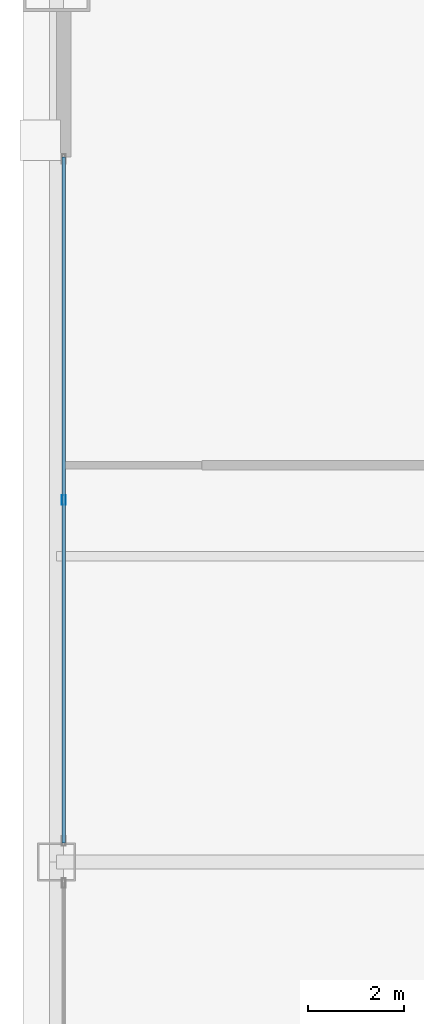
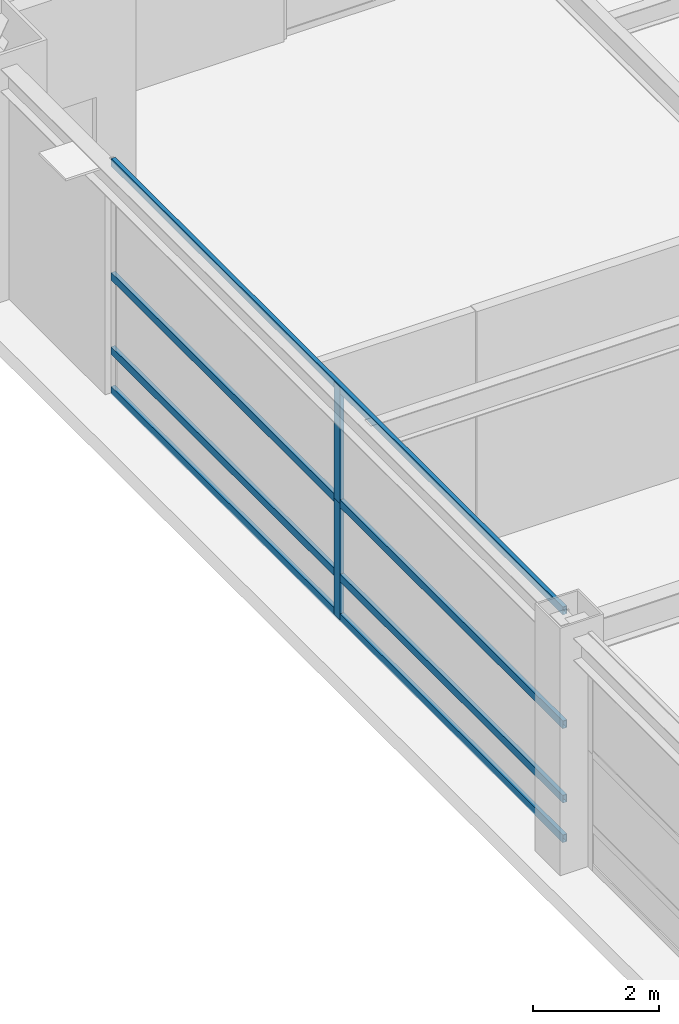
# One storey, part 14 of 34: 6 members, 1 element without a shape of its own.
"""IFC4 building model written with IfcOpenShell, lengths in metres."""

import ifcopenshell
import ifcopenshell.guid

model = None  # the IFC model being written
_history = None  # IfcOwnerHistory: only IFC2X3 demands one
_inside = {}  # id of a spatial element -> (the spatial element, [elements in it])
_under = {}  # id of a project, library or spatial element -> (it, [spatial elements below it])
_declared = {}  # id of a project -> (the project, [libraries it declares])
_typed = {}  # id of a type object -> (the type object, [elements of that type])
_made_of = {}  # id of a material, layer set ... -> (it, [elements and type objects made of it])


def new_model(schema):
    """Start an empty IFC model of exactly this schema.

    Asked for "IFC4X3", IfcOpenShell would pick the latest addendum, in which some entities
    have other attributes; the version numbers below select the first issue.
    IFC2X3 requires an IfcOwnerHistory on every rooted entity: one is made here for all.
    """
    global model, _history
    if schema == "IFC4X3":
        model = ifcopenshell.file(schema_version=(4, 3, 0, 0))
    else:
        model = ifcopenshell.file(schema=schema)
    _inside.clear()
    _under.clear()
    _declared.clear()
    _typed.clear()
    _made_of.clear()
    _history = None
    if model.schema == "IFC2X3":
        org = make("IfcOrganization", Name="unknown")
        user = make(
            "IfcPersonAndOrganization",
            ThePerson=make("IfcPerson", FamilyName="unknown"),
            TheOrganization=org,
        )
        app = make(
            "IfcApplication",
            ApplicationDeveloper=org,
            Version="unknown",
            ApplicationFullName="unknown",
            ApplicationIdentifier="unknown",
        )
        _history = make(
            "IfcOwnerHistory",
            OwningUser=user,
            OwningApplication=app,
            ChangeAction="ADDED",
            CreationDate=0,
        )
    return model


def make(cls, **values):
    """One entity of the class cls with the attributes given. An attribute that is None is left unset."""
    return model.create_entity(
        cls, **{name: value for name, value in values.items() if value is not None}
    )


def rooted(cls, **values):
    """An entity with a GlobalId (a new one), such as an element, a storey or a relation."""
    return make(cls, GlobalId=ifcopenshell.guid.new(), OwnerHistory=_history, **values)


def si_unit(unit_type, name, prefix=None):
    """IfcSIUnit, for example si_unit("LENGTHUNIT", "METRE", prefix="MILLI")."""
    return make("IfcSIUnit", UnitType=unit_type, Prefix=prefix, Name=name)


def assignment(units):
    """IfcUnitAssignment: the units of a project."""
    return None if units is None else make("IfcUnitAssignment", Units=units)


def point(xyz):
    """IfcCartesianPoint."""
    return None if xyz is None else make("IfcCartesianPoint", Coordinates=xyz)


def direction(xyz):
    """IfcDirection."""
    return None if xyz is None else make("IfcDirection", DirectionRatios=xyz)


def frame(location, z_axis=None, x_axis=None):
    """IfcAxis2Placement3D, a coordinate frame: its origin and axes. An axis left out is left unset."""
    return make(
        "IfcAxis2Placement3D",
        Location=point(location),
        Axis=direction(z_axis),
        RefDirection=direction(x_axis),
    )


def frame_2d(location, x_axis=None):
    """IfcAxis2Placement2D, a coordinate frame in the plane: its origin and x axis."""
    return make(
        "IfcAxis2Placement2D", Location=point(location), RefDirection=direction(x_axis)
    )


def origin():
    """The frame at (0, 0, 0) with its axes left unset."""
    return frame((0.0, 0.0, 0.0))


def origin_2d():
    """The frame at (0, 0) in the plane with its x axis left unset."""
    return frame_2d((0.0, 0.0))


def place(relative_to, where):
    """IfcLocalPlacement: puts the frame where relative to a parent placement (None: the world)."""
    return make(
        "IfcLocalPlacement", PlacementRelTo=relative_to, RelativePlacement=where
    )


def context(
    kind, dimensions, precision=None, world=None, true_north=None, identifier=None
):
    """IfcGeometricRepresentationContext, for example the 3D "Model" context."""
    return make(
        "IfcGeometricRepresentationContext",
        ContextIdentifier=identifier,
        ContextType=kind,
        CoordinateSpaceDimension=dimensions,
        Precision=precision,
        WorldCoordinateSystem=world,
        TrueNorth=true_north,
    )


def subcontext(parent, identifier, kind, view, scale=None):
    """IfcGeometricRepresentationSubContext, for example "Body" below "Model"."""
    return make(
        "IfcGeometricRepresentationSubContext",
        ContextIdentifier=identifier,
        ContextType=kind,
        ParentContext=parent,
        TargetScale=scale,
        TargetView=view,
    )


def project(units=None, contexts=None):
    """IfcProject with its units and contexts."""
    return rooted(
        "IfcProject",
        Name="project",
        RepresentationContexts=contexts,
        UnitsInContext=assignment(units),
    )


def spatial(cls, under=None, at=None, **own):
    """A site, building, storey or space (cls), placed at a placement, below another one or the project."""
    s = rooted(cls, ObjectPlacement=at, **own)
    if under is not None:
        _under.setdefault(under.id(), (under, []))[1].append(s)
    return s


def profile(cls, at=None, kind="AREA", **sizes):
    """A parametric profile (cls). Its sizes go by their IFC names, for example OverallWidth=200.0."""
    return make(cls, ProfileType=kind, Position=at, **sizes)


def hollow_rectangle(**sizes):
    """IfcRectangleHollowProfileDef."""
    return profile("IfcRectangleHollowProfileDef", **sizes)


def extrude(swept, where, along, depth):
    """IfcExtrudedAreaSolid: the profile swept, set in the frame where, extruded along a direction by depth."""
    return make(
        "IfcExtrudedAreaSolid",
        SweptArea=swept,
        Position=where,
        ExtrudedDirection=direction(along),
        Depth=depth,
    )


def shape(context_of_items, identifier, shape_type, items):
    """IfcShapeRepresentation: the items that make up one representation, for example the "Body"."""
    return make(
        "IfcShapeRepresentation",
        ContextOfItems=context_of_items,
        RepresentationIdentifier=identifier,
        RepresentationType=shape_type,
        Items=items,
    )


def source(mapping_origin, context_of_items, identifier, shape_type, items):
    """IfcRepresentationMap: a shape defined once, which mapped items show again and again."""
    return make(
        "IfcRepresentationMap",
        MappingOrigin=mapping_origin,
        MappedRepresentation=shape(context_of_items, identifier, shape_type, items),
    )


def transform(
    local_origin,
    x_axis=None,
    y_axis=None,
    z_axis=None,
    scale=None,
    scale2=None,
    scale3=None,
    uniform=True,
):
    """IfcCartesianTransformationOperator3D, or its non-uniform kind. x_axis, y_axis, z_axis: its Axis1, 2, 3."""
    if uniform:
        return make(
            "IfcCartesianTransformationOperator3D",
            Axis1=direction(x_axis),
            Axis2=direction(y_axis),
            LocalOrigin=point(local_origin),
            Scale=scale,
            Axis3=direction(z_axis),
        )
    return make(
        "IfcCartesianTransformationOperator3DnonUniform",
        Axis1=direction(x_axis),
        Axis2=direction(y_axis),
        LocalOrigin=point(local_origin),
        Scale=scale,
        Axis3=direction(z_axis),
        Scale2=scale2,
        Scale3=scale3,
    )


def mapped(mapping_source, mapping_target):
    """IfcMappedItem: shows the shape of a source again, moved by a transform."""
    return make(
        "IfcMappedItem", MappingSource=mapping_source, MappingTarget=mapping_target
    )


def material(Name=None, Category=None):
    """IfcMaterial."""
    return make("IfcMaterial", Name=Name, Category=Category)


def layer(
    of_material, thickness, ventilated=None, Name=None, Category=None, Priority=None
):
    """IfcMaterialLayer: one layer of a wall or slab, of a material (None: an air gap)."""
    return make(
        "IfcMaterialLayer",
        Material=of_material,
        LayerThickness=thickness,
        IsVentilated=ventilated,
        Name=Name,
        Category=Category,
        Priority=Priority,
    )


def layer_set(layers, Name=None):
    """IfcMaterialLayerSet."""
    return make("IfcMaterialLayerSet", MaterialLayers=layers, LayerSetName=Name)


def material_profile(
    of_material, cross_section, Name=None, Category=None, Priority=None
):
    """IfcMaterialProfile: a cross section and its material."""
    return make(
        "IfcMaterialProfile",
        Name=Name,
        Material=of_material,
        Profile=cross_section,
        Priority=Priority,
        Category=Category,
    )


def profile_set(profiles, Name=None, composite=None):
    """IfcMaterialProfileSet."""
    return make(
        "IfcMaterialProfileSet",
        Name=Name,
        MaterialProfiles=profiles,
        CompositeProfile=composite,
    )


def made_of(thing, what):
    """Note that an element or type object is made of a material, layer set ...; save() writes the relation."""
    if what is not None:
        _made_of.setdefault(what.id(), (what, []))[1].append(thing)
    return thing


def type_object(cls, material=None, **own):
    """A type object (cls), such as IfcWallType, which elements share."""
    return made_of(rooted(cls, **own), material)


def element(
    cls,
    number,
    at=None,
    inside=None,
    cuts=None,
    type_object=None,
    material=None,
    context=None,
    identifier="Body",
    shape_type=None,
    held_by="IfcProductDefinitionShape",
    body=None,
    shapes=None,
    **own,
):
    """One element of the class cls, such as IfcWall. Its Tag is "e" and its number.

    at: its placement. inside: the storey or other place that contains it. cuts: it is an
    opening in that element (IfcRelVoidsElement). A single representation is given by context,
    identifier, shape_type and body (its items); several are given by shapes. held_by: the class
    of the entity that holds the representations. save() writes the other relations.
    """
    e = rooted(cls, Tag="e%d" % number, ObjectPlacement=at, **own)
    if body is not None:
        shapes = [shape(context, identifier, shape_type, body)]
    if shapes is not None:
        e.Representation = make(held_by, Representations=shapes)
    if inside is not None:
        _inside.setdefault(inside.id(), (inside, []))[1].append(e)
    if cuts is not None:
        rooted(
            "IfcRelVoidsElement", RelatingBuildingElement=cuts, RelatedOpeningElement=e
        )
    if type_object is not None:
        _typed.setdefault(type_object.id(), (type_object, []))[1].append(e)
    return made_of(e, material)


def aggregate(whole, parts):
    """IfcRelAggregates: a whole, such as a stair, and the parts it consists of."""
    return rooted("IfcRelAggregates", RelatingObject=whole, RelatedObjects=parts)


def save(model, path):
    """Write the relations noted so far, then the file.

    IfcRelAggregates (storeys below a building ...), IfcRelContainedInSpatialStructure (elements
    in a storey), IfcRelDefinesByType, IfcRelAssociatesMaterial and IfcRelDeclares: one each for
    every whole, place, type object, material and project.
    """
    for whole, parts in _under.values():
        aggregate(whole, parts)
    for where, things in _inside.values():
        rooted(
            "IfcRelContainedInSpatialStructure",
            RelatedElements=things,
            RelatingStructure=where,
        )
    for kind, things in _typed.values():
        rooted("IfcRelDefinesByType", RelatedObjects=things, RelatingType=kind)
    for what, things in _made_of.values():
        rooted("IfcRelAssociatesMaterial", RelatedObjects=things, RelatingMaterial=what)
    for by, libraries in _declared.values():
        rooted("IfcRelDeclares", RelatingContext=by, RelatedDefinitions=libraries)
    model.write(path)


model = new_model("IFC4")

# Units and contexts
model_context = context("Model", 3, precision=1e-05, world=origin(), true_north=direction((0.0, 1.0)))
body_context = subcontext(model_context, "Body", "Model", "MODEL_VIEW")
ifc_project = project(units=[si_unit("LENGTHUNIT", "METRE"), si_unit("AREAUNIT", "SQUARE_METRE"), si_unit("VOLUMEUNIT", "CUBIC_METRE"), si_unit("PLANEANGLEUNIT", "RADIAN"), si_unit("MASSUNIT", "GRAM", prefix="KILO"), si_unit("THERMODYNAMICTEMPERATUREUNIT", "KELVIN"), si_unit("POWERUNIT", "WATT")], contexts=[model_context])

# Site, building, storey
site_placement = place(None, origin())
site = spatial("IfcSite", under=ifc_project, at=site_placement, CompositionType="ELEMENT")
building_placement = place(site_placement, origin())
building = spatial("IfcBuilding", under=site, at=building_placement, Name="Yuzanri Waterfront Tower", CompositionType="ELEMENT")
storey_placement = place(building_placement, frame((0.0, 0.0, 171.60009765625)))
storey = spatial("IfcBuildingStorey", under=building, at=storey_placement, Name="L45", CompositionType="ELEMENT", Elevation=171.60009765625)

# Curtain wall, members
ifc_material_1 = material(Name="Anodized Architectural Bronze", Category="metal")
ifc_layer = layer(ifc_material_1, 0.159912109375)
ifc_layer_set = layer_set([ifc_layer], Name="Anodized Architectural Bronze")
curtain_wall_type = type_object("IfcCurtainWallType", Name="Anodized Bronze Sky-Lobby Triple-Glazed Feature Curtain Wall 7500", PredefinedType="NOTDEFINED", material=ifc_layer_set)
curtain_wall_placement = place(storey_placement, origin())
curtain_wall = element("IfcCurtainWall", 1, at=curtain_wall_placement, inside=storey, type_object=curtain_wall_type, Name="L45 Curtain Wall CW-L45-WR", PredefinedType="NOTDEFINED")
ifc_material_2 = material(Name="Anodized Architectural Bronze", Category="metal")
ifc_material_profile_1 = material_profile(ifc_material_2, hollow_rectangle(XDim=0.074951171875, YDim=0.199951171875, WallThickness=0.00390625, at=origin_2d()), Name="CWM 75x200")
ifc_profile_set_1 = profile_set([ifc_material_profile_1], Name="Anodized Architectural Bronze")
member_type_1 = type_object("IfcMemberType", Name="Anodized Bronze Primary Curtain-Wall Mullion 75x200", PredefinedType="MULLION", material=ifc_profile_set_1)
shared_shape_1 = source(origin(), body_context, "Body", "SweptSolid", [
    extrude(hollow_rectangle(XDim=0.074951171875, YDim=0.199951171875, WallThickness=0.00390625, at=origin_2d()), origin(), (0.0, 0.0, 1.0), 2.258056640625),
])
member_1_placement = place(storey_placement, frame((15.050048828125, 33.375, 2.261962890625), z_axis=(0.0, 0.0, 1.0), x_axis=(1.0, 0.0, 0.0)))
member_1 = element("IfcMember", 2, at=member_1_placement, type_object=member_type_1, Name="CW-L45-WR Upper Mullion 01", PredefinedType="MULLION", context=body_context, shape_type="MappedRepresentation", body=[
    mapped(shared_shape_1, transform((0.0, 0.0, 0.0), scale=1.0)),
])
shared_shape_2 = source(origin(), body_context, "Body", "SweptSolid", [
    extrude(hollow_rectangle(XDim=0.074951171875, YDim=0.199951171875, WallThickness=0.00390625, at=origin_2d()), origin(), (0.0, 0.0, 1.0), 2.2578125),
])
member_2_placement = place(storey_placement, frame((15.050048828125, 33.375, 0.0), z_axis=(0.0, 0.0, 1.0), x_axis=(1.0, 0.0, 0.0)))
member_2 = element("IfcMember", 3, at=member_2_placement, type_object=member_type_1, Name="CW-L45-WR Lower Mullion 01", PredefinedType="MULLION", context=body_context, shape_type="MappedRepresentation", body=[
    mapped(shared_shape_2, transform((0.0, 0.0, 0.0), scale=1.0)),
])
ifc_material_3 = material(Name="Anodized Architectural Bronze", Category="metal")
ifc_material_profile_2 = material_profile(ifc_material_3, hollow_rectangle(XDim=0.074951171875, YDim=0.14990234375, WallThickness=0.00390625, at=origin_2d()), Name="CWT 75x150")
ifc_profile_set_2 = profile_set([ifc_material_profile_2], Name="Anodized Architectural Bronze")
member_type_2 = type_object("IfcMemberType", Name="Anodized Bronze Primary Curtain-Wall Transom 75x150", PredefinedType="USERDEFINED", material=ifc_profile_set_2)
shared_shape_3 = source(origin(), body_context, "Body", "SweptSolid", [
    extrude(hollow_rectangle(XDim=0.074951171875, YDim=0.14990234375, WallThickness=0.00390625, at=origin_2d()), origin(), (0.0, 0.0, 1.0), 14.35009765625),
])
member_3_placement = place(storey_placement, frame((15.050048828125, 26.199951171875, 0.0498046875), z_axis=(0.0, 1.0, 0.0), x_axis=(-1.0, 0.0, 0.0)))
member_3 = element("IfcMember", 4, at=member_3_placement, type_object=member_type_2, Name="CW-L45-WR Transom 1", ObjectType="TRANSOM", PredefinedType="USERDEFINED", context=body_context, shape_type="MappedRepresentation", body=[
    mapped(shared_shape_3, transform((0.0, 0.0, 0.0), scale=1.0)),
])
member_4_placement = place(storey_placement, frame((15.050048828125, 26.199951171875, 0.81982421875), z_axis=(0.0, 1.0, 0.0), x_axis=(-1.0, 0.0, 0.0)))
member_4 = element("IfcMember", 5, at=member_4_placement, type_object=member_type_2, Name="CW-L45-WR Transom 2", ObjectType="TRANSOM", PredefinedType="USERDEFINED", context=body_context, shape_type="MappedRepresentation", body=[
    mapped(shared_shape_3, transform((0.0, 0.0, 0.0), scale=1.0)),
])
member_5_placement = place(storey_placement, frame((15.050048828125, 26.199951171875, 2.260009765625), z_axis=(0.0, 1.0, 0.0), x_axis=(-1.0, 0.0, 0.0)))
member_5 = element("IfcMember", 6, at=member_5_placement, type_object=member_type_2, Name="CW-L45-WR Transom 3", ObjectType="TRANSOM", PredefinedType="USERDEFINED", context=body_context, shape_type="MappedRepresentation", body=[
    mapped(shared_shape_3, transform((0.0, 0.0, 0.0), scale=1.0)),
])
member_6_placement = place(storey_placement, frame((15.050048828125, 26.199951171875, 4.469970703125), z_axis=(0.0, 1.0, 0.0), x_axis=(-1.0, 0.0, 0.0)))
member_6 = element("IfcMember", 7, at=member_6_placement, type_object=member_type_2, Name="CW-L45-WR Transom 4", ObjectType="TRANSOM", PredefinedType="USERDEFINED", context=body_context, shape_type="MappedRepresentation", body=[
    mapped(shared_shape_3, transform((0.0, 0.0, 0.0), scale=1.0)),
])
aggregate(curtain_wall, [member_2, member_1, member_3, member_4, member_5, member_6])

save(model, "model.ifc")
